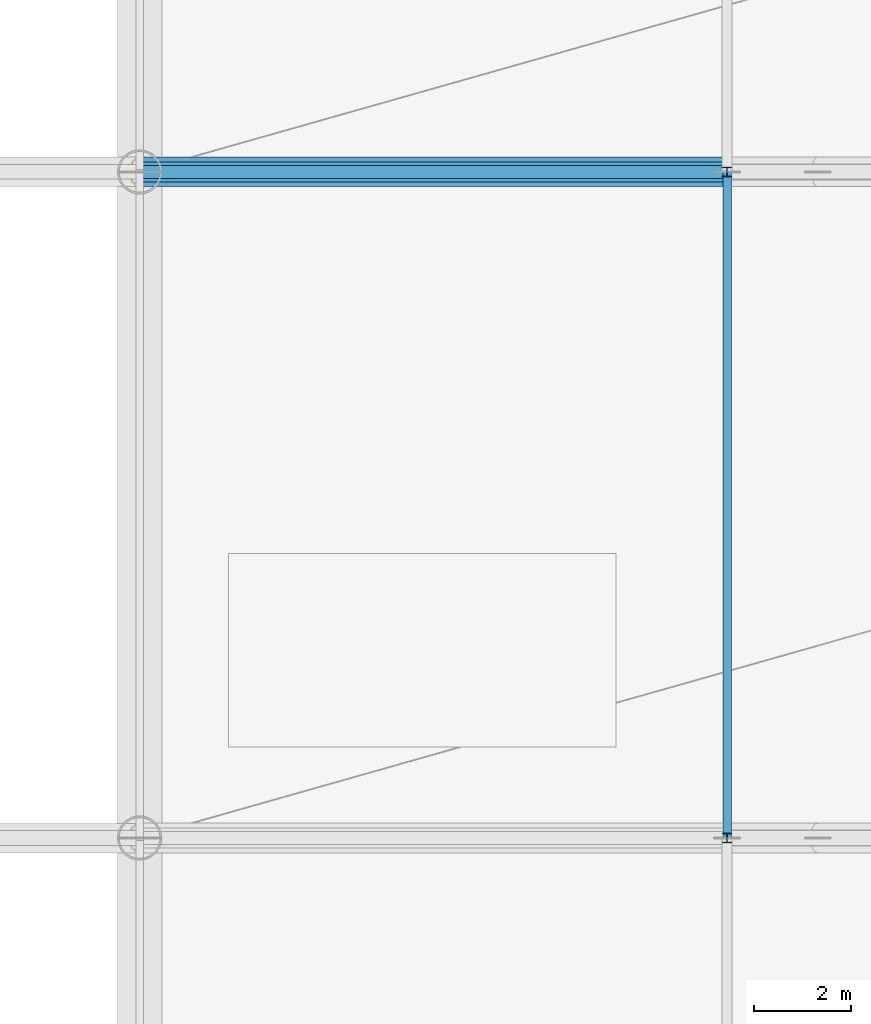
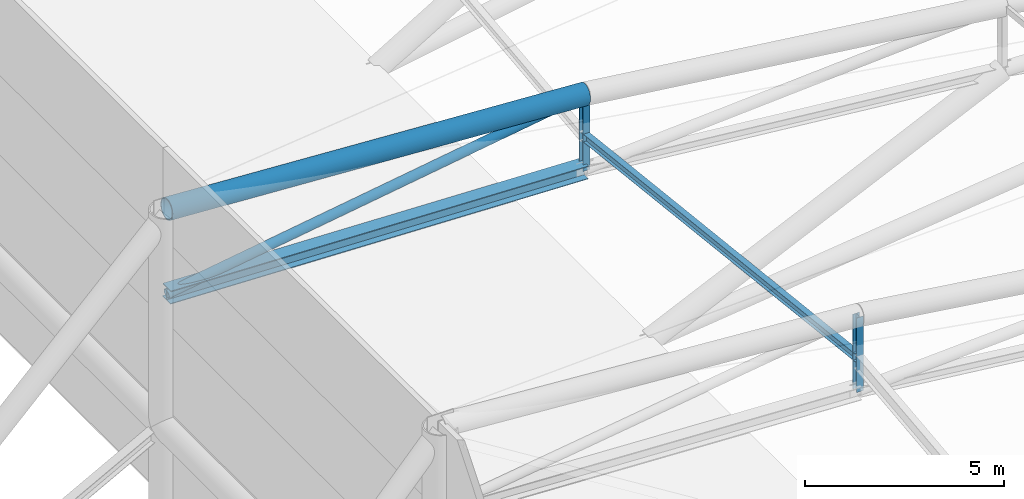
# One storey, part 14 of 36: 6 members.
"""IFC4 building model written with IfcOpenShell, lengths in metres."""

import ifcopenshell
import ifcopenshell.guid

model = None  # the IFC model being written
_history = None  # IfcOwnerHistory: only IFC2X3 demands one
_inside = {}  # id of a spatial element -> (the spatial element, [elements in it])
_under = {}  # id of a project, library or spatial element -> (it, [spatial elements below it])
_declared = {}  # id of a project -> (the project, [libraries it declares])
_typed = {}  # id of a type object -> (the type object, [elements of that type])
_made_of = {}  # id of a material, layer set ... -> (it, [elements and type objects made of it])


def new_model(schema):
    """Start an empty IFC model of exactly this schema.

    Asked for "IFC4X3", IfcOpenShell would pick the latest addendum, in which some entities
    have other attributes; the version numbers below select the first issue.
    IFC2X3 requires an IfcOwnerHistory on every rooted entity: one is made here for all.
    """
    global model, _history
    if schema == "IFC4X3":
        model = ifcopenshell.file(schema_version=(4, 3, 0, 0))
    else:
        model = ifcopenshell.file(schema=schema)
    _inside.clear()
    _under.clear()
    _declared.clear()
    _typed.clear()
    _made_of.clear()
    _history = None
    if model.schema == "IFC2X3":
        org = make("IfcOrganization", Name="unknown")
        user = make(
            "IfcPersonAndOrganization",
            ThePerson=make("IfcPerson", FamilyName="unknown"),
            TheOrganization=org,
        )
        app = make(
            "IfcApplication",
            ApplicationDeveloper=org,
            Version="unknown",
            ApplicationFullName="unknown",
            ApplicationIdentifier="unknown",
        )
        _history = make(
            "IfcOwnerHistory",
            OwningUser=user,
            OwningApplication=app,
            ChangeAction="ADDED",
            CreationDate=0,
        )
    return model


def make(cls, **values):
    """One entity of the class cls with the attributes given. An attribute that is None is left unset."""
    return model.create_entity(
        cls, **{name: value for name, value in values.items() if value is not None}
    )


def rooted(cls, **values):
    """An entity with a GlobalId (a new one), such as an element, a storey or a relation."""
    return make(cls, GlobalId=ifcopenshell.guid.new(), OwnerHistory=_history, **values)


def si_unit(unit_type, name, prefix=None):
    """IfcSIUnit, for example si_unit("LENGTHUNIT", "METRE", prefix="MILLI")."""
    return make("IfcSIUnit", UnitType=unit_type, Prefix=prefix, Name=name)


def assignment(units):
    """IfcUnitAssignment: the units of a project."""
    return None if units is None else make("IfcUnitAssignment", Units=units)


def point(xyz):
    """IfcCartesianPoint."""
    return None if xyz is None else make("IfcCartesianPoint", Coordinates=xyz)


def direction(xyz):
    """IfcDirection."""
    return None if xyz is None else make("IfcDirection", DirectionRatios=xyz)


def frame(location, z_axis=None, x_axis=None):
    """IfcAxis2Placement3D, a coordinate frame: its origin and axes. An axis left out is left unset."""
    return make(
        "IfcAxis2Placement3D",
        Location=point(location),
        Axis=direction(z_axis),
        RefDirection=direction(x_axis),
    )


def frame_2d(location, x_axis=None):
    """IfcAxis2Placement2D, a coordinate frame in the plane: its origin and x axis."""
    return make(
        "IfcAxis2Placement2D", Location=point(location), RefDirection=direction(x_axis)
    )


def origin():
    """The frame at (0, 0, 0) with its axes left unset."""
    return frame((0.0, 0.0, 0.0))


def origin_2d():
    """The frame at (0, 0) in the plane with its x axis left unset."""
    return frame_2d((0.0, 0.0))


def place(relative_to, where):
    """IfcLocalPlacement: puts the frame where relative to a parent placement (None: the world)."""
    return make(
        "IfcLocalPlacement", PlacementRelTo=relative_to, RelativePlacement=where
    )


def context(
    kind, dimensions, precision=None, world=None, true_north=None, identifier=None
):
    """IfcGeometricRepresentationContext, for example the 3D "Model" context."""
    return make(
        "IfcGeometricRepresentationContext",
        ContextIdentifier=identifier,
        ContextType=kind,
        CoordinateSpaceDimension=dimensions,
        Precision=precision,
        WorldCoordinateSystem=world,
        TrueNorth=true_north,
    )


def subcontext(parent, identifier, kind, view, scale=None):
    """IfcGeometricRepresentationSubContext, for example "Body" below "Model"."""
    return make(
        "IfcGeometricRepresentationSubContext",
        ContextIdentifier=identifier,
        ContextType=kind,
        ParentContext=parent,
        TargetScale=scale,
        TargetView=view,
    )


def project(units=None, contexts=None):
    """IfcProject with its units and contexts."""
    return rooted(
        "IfcProject",
        Name="project",
        RepresentationContexts=contexts,
        UnitsInContext=assignment(units),
    )


def spatial(cls, under=None, at=None, **own):
    """A site, building, storey or space (cls), placed at a placement, below another one or the project."""
    s = rooted(cls, ObjectPlacement=at, **own)
    if under is not None:
        _under.setdefault(under.id(), (under, []))[1].append(s)
    return s


def profile(cls, at=None, kind="AREA", **sizes):
    """A parametric profile (cls). Its sizes go by their IFC names, for example OverallWidth=200.0."""
    return make(cls, ProfileType=kind, Position=at, **sizes)


def hollow_circle(**sizes):
    """IfcCircleHollowProfileDef."""
    return profile("IfcCircleHollowProfileDef", **sizes)


def i_section(**sizes):
    """IfcIShapeProfileDef."""
    return profile("IfcIShapeProfileDef", **sizes)


def extrude(swept, where, along, depth):
    """IfcExtrudedAreaSolid: the profile swept, set in the frame where, extruded along a direction by depth."""
    return make(
        "IfcExtrudedAreaSolid",
        SweptArea=swept,
        Position=where,
        ExtrudedDirection=direction(along),
        Depth=depth,
    )


def shape(context_of_items, identifier, shape_type, items):
    """IfcShapeRepresentation: the items that make up one representation, for example the "Body"."""
    return make(
        "IfcShapeRepresentation",
        ContextOfItems=context_of_items,
        RepresentationIdentifier=identifier,
        RepresentationType=shape_type,
        Items=items,
    )


def material(Name=None, Category=None):
    """IfcMaterial."""
    return make("IfcMaterial", Name=Name, Category=Category)


def material_profile(
    of_material, cross_section, Name=None, Category=None, Priority=None
):
    """IfcMaterialProfile: a cross section and its material."""
    return make(
        "IfcMaterialProfile",
        Name=Name,
        Material=of_material,
        Profile=cross_section,
        Priority=Priority,
        Category=Category,
    )


def profile_set(profiles, Name=None, composite=None):
    """IfcMaterialProfileSet."""
    return make(
        "IfcMaterialProfileSet",
        Name=Name,
        MaterialProfiles=profiles,
        CompositeProfile=composite,
    )


def made_of(thing, what):
    """Note that an element or type object is made of a material, layer set ...; save() writes the relation."""
    if what is not None:
        _made_of.setdefault(what.id(), (what, []))[1].append(thing)
    return thing


def type_object(cls, material=None, **own):
    """A type object (cls), such as IfcWallType, which elements share."""
    return made_of(rooted(cls, **own), material)


def element(
    cls,
    number,
    at=None,
    inside=None,
    cuts=None,
    type_object=None,
    material=None,
    context=None,
    identifier="Body",
    shape_type=None,
    held_by="IfcProductDefinitionShape",
    body=None,
    shapes=None,
    **own,
):
    """One element of the class cls, such as IfcWall. Its Tag is "e" and its number.

    at: its placement. inside: the storey or other place that contains it. cuts: it is an
    opening in that element (IfcRelVoidsElement). A single representation is given by context,
    identifier, shape_type and body (its items); several are given by shapes. held_by: the class
    of the entity that holds the representations. save() writes the other relations.
    """
    e = rooted(cls, Tag="e%d" % number, ObjectPlacement=at, **own)
    if body is not None:
        shapes = [shape(context, identifier, shape_type, body)]
    if shapes is not None:
        e.Representation = make(held_by, Representations=shapes)
    if inside is not None:
        _inside.setdefault(inside.id(), (inside, []))[1].append(e)
    if cuts is not None:
        rooted(
            "IfcRelVoidsElement", RelatingBuildingElement=cuts, RelatedOpeningElement=e
        )
    if type_object is not None:
        _typed.setdefault(type_object.id(), (type_object, []))[1].append(e)
    return made_of(e, material)


def aggregate(whole, parts):
    """IfcRelAggregates: a whole, such as a stair, and the parts it consists of."""
    return rooted("IfcRelAggregates", RelatingObject=whole, RelatedObjects=parts)


def save(model, path):
    """Write the relations noted so far, then the file.

    IfcRelAggregates (storeys below a building ...), IfcRelContainedInSpatialStructure (elements
    in a storey), IfcRelDefinesByType, IfcRelAssociatesMaterial and IfcRelDeclares: one each for
    every whole, place, type object, material and project.
    """
    for whole, parts in _under.values():
        aggregate(whole, parts)
    for where, things in _inside.values():
        rooted(
            "IfcRelContainedInSpatialStructure",
            RelatedElements=things,
            RelatingStructure=where,
        )
    for kind, things in _typed.values():
        rooted("IfcRelDefinesByType", RelatedObjects=things, RelatingType=kind)
    for what, things in _made_of.values():
        rooted("IfcRelAssociatesMaterial", RelatedObjects=things, RelatingMaterial=what)
    for by, libraries in _declared.values():
        rooted("IfcRelDeclares", RelatingContext=by, RelatedDefinitions=libraries)
    model.write(path)


model = new_model("IFC4")

# Units and contexts
model_context = context("Model", 3, precision=1e-05, world=origin(), true_north=direction((0.0, 1.0)))
body_context = subcontext(model_context, "Body", "Model", "MODEL_VIEW")
ifc_project = project(units=[si_unit("LENGTHUNIT", "METRE"), si_unit("AREAUNIT", "SQUARE_METRE"), si_unit("VOLUMEUNIT", "CUBIC_METRE"), si_unit("PLANEANGLEUNIT", "RADIAN"), si_unit("MASSUNIT", "GRAM", prefix="KILO")], contexts=[model_context])

# Site, building, storey
site_placement = place(None, origin())
site = spatial("IfcSite", under=ifc_project, at=site_placement, CompositionType="ELEMENT")
building_placement = place(site_placement, origin())
building = spatial("IfcBuilding", under=site, at=building_placement, Name="Linyun Crest Stadium", CompositionType="ELEMENT")
storey_placement = place(building_placement, frame((0.0, 0.0, 31.60009765625)))
storey = spatial("IfcBuildingStorey", under=building, at=storey_placement, Name="RF", CompositionType="ELEMENT", Elevation=31.60009765625)

# Members
ifc_material_1 = material(Name="Steel Q355B", Category="steel")
ifc_material_profile_1 = material_profile(ifc_material_1, i_section(OverallWidth=0.175048828125, OverallDepth=0.243896484375, WebThickness=0.007080078125, FlangeThickness=0.010986328125, at=origin_2d()), Name="HM 244x175")
ifc_profile_set_1 = profile_set([ifc_material_profile_1], Name="Steel Q355B")
member_type_1 = type_object("IfcMemberType", Name="PR05", PredefinedType="PURLIN", material=ifc_profile_set_1)
member_1_placement = place(storey_placement, frame((-71.875, 2.125, 8.255859375), z_axis=(0.0, 0.99369795001, -0.112090963715), x_axis=(-1.0, 0.0, 0.0)))
element("IfcMember", 1, at=member_1_placement, inside=storey, type_object=member_type_1, Name="Roof canopy purlin PR05 V1 169", PredefinedType="PURLIN", context=body_context, shape_type="SweptSolid", body=[
    extrude(i_section(OverallWidth=0.175048828125, OverallDepth=0.243896484375, WebThickness=0.007080078125, FlangeThickness=0.010986328125, at=origin_2d()), origin(), (0.0, 0.0, 1.0), 13.837158203125),
])
ifc_material_2 = material(Name="Steel Q420C", Category="steel")
ifc_material_profile_2 = material_profile(ifc_material_2, hollow_circle(Radius=0.304931640625, WallThickness=0.030029296875, at=origin_2d()), Name="CHS 610x30")
ifc_profile_set_2 = profile_set([ifc_material_profile_2], Name="Steel Q420C")
member_type_2 = type_object("IfcMemberType", Name="TC02", PredefinedType="CHORD", material=ifc_profile_set_2)
member_2_placement = place(storey_placement, frame((-84.0, 15.875, 8.699951171875), z_axis=(0.998274858327, 0.0, -0.058713773783), x_axis=(0.0, 1.0, 0.0)))
element("IfcMember", 2, at=member_2_placement, inside=storey, type_object=member_type_2, Name="Roof truss top chord TC02 V1 98", PredefinedType="CHORD", context=body_context, shape_type="SweptSolid", body=[
    extrude(hollow_circle(Radius=0.304931640625, WallThickness=0.030029296875, at=origin_2d()), origin(), (0.0, 0.0, 1.0), 12.14599609375),
])
ifc_material_3 = material(Name="Steel Q420C", Category="steel")
ifc_material_profile_3 = material_profile(ifc_material_3, i_section(OverallWidth=0.407958984375, OverallDepth=0.39990234375, WebThickness=0.02099609375, FlangeThickness=0.02099609375, at=origin_2d()), Name="HW 400x408")
ifc_profile_set_3 = profile_set([ifc_material_profile_3], Name="Steel Q420C")
member_type_3 = type_object("IfcMemberType", Name="TC04", PredefinedType="CHORD", material=ifc_profile_set_3)
member_3_placement = place(storey_placement, frame((-84.0, 15.875, 6.099853515625), z_axis=(0.999453893872, 0.0, -0.033044122377), x_axis=(0.0, 1.0, 0.0)))
element("IfcMember", 3, at=member_3_placement, inside=storey, type_object=member_type_3, Name="Roof truss bottom chord TC04 V1 99", PredefinedType="CHORD", context=body_context, shape_type="SweptSolid", body=[
    extrude(i_section(OverallWidth=0.407958984375, OverallDepth=0.39990234375, WebThickness=0.02099609375, FlangeThickness=0.02099609375, at=origin_2d()), origin(), (0.0, 0.0, 1.0), 12.131591796875),
])
ifc_material_4 = material(Name="Steel Q355C", Category="steel")
ifc_material_profile_4 = material_profile(ifc_material_4, hollow_circle(Radius=0.136474609375, WallThickness=0.013916015625, at=origin_2d()), Name="CHS 273x14")
ifc_profile_set_4 = profile_set([ifc_material_profile_4], Name="Steel Q355C")
member_type_4 = type_object("IfcMemberType", Name="TD01", PredefinedType="BRACE", material=ifc_profile_set_4)
member_4_placement = place(storey_placement, frame((-84.0, 15.875, 6.099853515625), z_axis=(0.988105923957, 0.0, 0.153774780249), x_axis=(0.0, 1.0, 0.0)))
element("IfcMember", 4, at=member_4_placement, inside=storey, type_object=member_type_4, Name="Roof truss diagonal TD01 V1 100", PredefinedType="BRACE", context=body_context, shape_type="SweptSolid", body=[
    extrude(hollow_circle(Radius=0.136474609375, WallThickness=0.013916015625, at=origin_2d()), origin(), (0.0, 0.0, 1.0), 12.27099609375),
])
ifc_material_5 = material(Name="Steel Q355C", Category="steel")
ifc_material_profile_5 = material_profile(ifc_material_5, i_section(OverallWidth=0.199951171875, OverallDepth=0.199951171875, WebThickness=0.008056640625, FlangeThickness=0.011962890625, at=origin_2d()), Name="HW 200x200")
ifc_profile_set_5 = profile_set([ifc_material_profile_5], Name="Steel Q355C")
member_type_5 = type_object("IfcMemberType", Name="TV02", PredefinedType="STRUT", material=ifc_profile_set_5)
for number, where, z_axis, x_axis, name in (
    (5, (-71.875, 2.125, 7.25), (0.0, 0.0, 1.0), (1.0, 0.0, 0.0), "Roof vertical strut TV02 V1 85"),
    (6, (-71.875, 15.875, 5.698974609375), (0.0, 0.0, 1.0), (1.0, 0.0, 0.0), "Roof vertical strut TV02 V1 104"),
):
    element("IfcMember", number, at=place(storey_placement, frame(where, z_axis=z_axis, x_axis=x_axis)), inside=storey, type_object=member_type_5, Name=name, PredefinedType="STRUT", context=body_context, shape_type="SweptSolid", body=[
        extrude(i_section(OverallWidth=0.199951171875, OverallDepth=0.199951171875, WebThickness=0.008056640625, FlangeThickness=0.011962890625, at=origin_2d()), origin(), (0.0, 0.0, 1.0), 2.287841796875),
    ])

save(model, "model.ifc")
